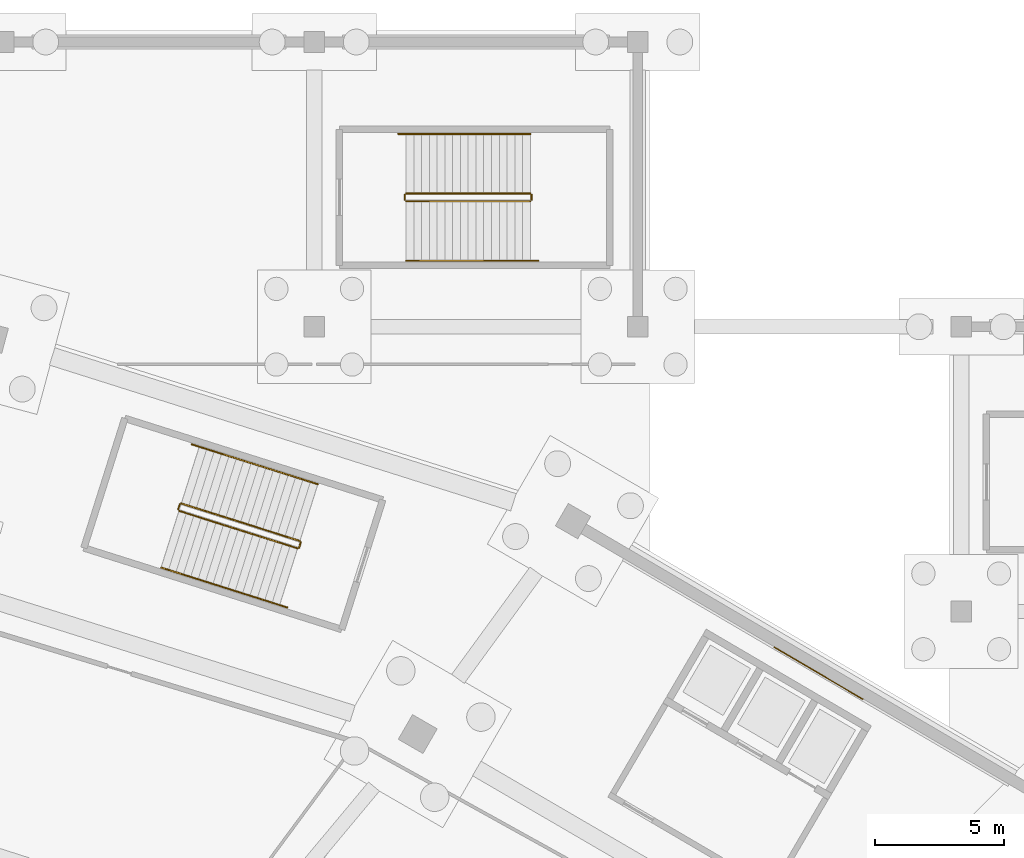
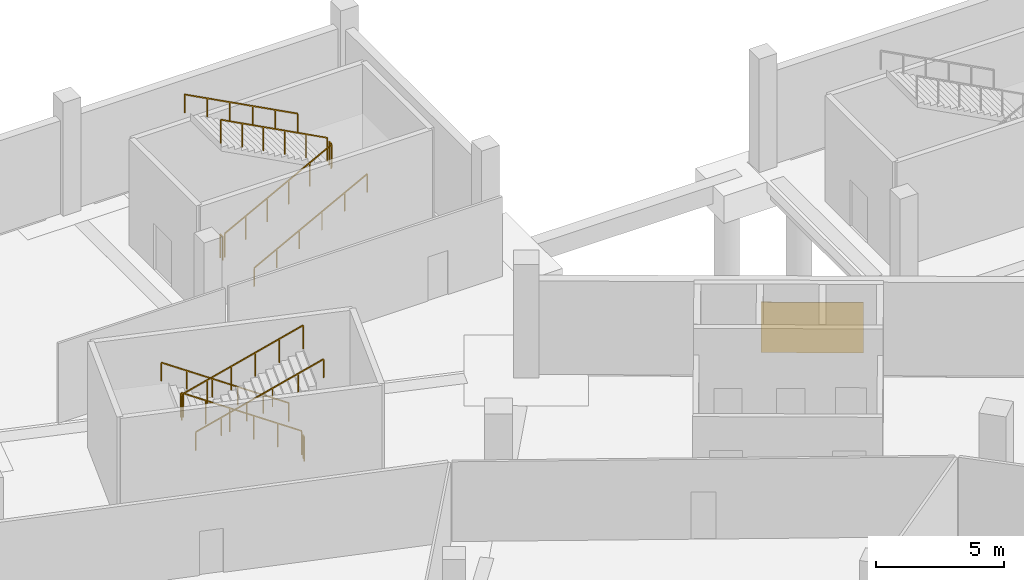
# One storey, part 72 of 74: 12 railings, 1 covering.
"""IFC4 building model written with IfcOpenShell, lengths in metres."""

from ifc_helpers import new_model, si_unit, direction, frame, origin, origin_2d, place, context, subcontext, project, spatial, rectangle, extrude, material, layer, layer_set, type_object, element, save


model = new_model("IFC4")

# Units and contexts
model_context = context("Model", 3, precision=1e-05, world=origin(), true_north=direction((0.0, 1.0)))
body_context = subcontext(model_context, "Body", "Model", "MODEL_VIEW")
ifc_project = project(units=[si_unit("LENGTHUNIT", "METRE"), si_unit("AREAUNIT", "SQUARE_METRE"), si_unit("VOLUMEUNIT", "CUBIC_METRE"), si_unit("PLANEANGLEUNIT", "RADIAN"), si_unit("MASSUNIT", "GRAM", prefix="KILO")], contexts=[model_context])

# Site, building, storey
site_placement = place(None, origin())
site = spatial("IfcSite", under=ifc_project, at=site_placement, CompositionType="ELEMENT")
building_placement = place(site_placement, origin())
building = spatial("IfcBuilding", under=site, at=building_placement, Name="Zlatoyarsky Gate Stadium", CompositionType="ELEMENT")
storey_placement = place(building_placement, frame((0.0, 0.0, -5.39990234375)))
storey = spatial("IfcBuildingStorey", under=building, at=storey_placement, Name="B1", CompositionType="ELEMENT", Elevation=-5.39990234375)

# Covering
ifc_material_1 = material(Name="Fire-retardant birch timber acoustic wall panel", Category="wood")
ifc_layer = layer(ifc_material_1, 0.034912109375)
ifc_layer_set = layer_set([ifc_layer], Name="Fire-retardant birch timber acoustic wall panel")
covering_type = type_object("IfcCoveringType", Name="FLUTED BIRCH ACOUSTIC WALL CLADDING 35", PredefinedType="CLADDING", material=ifc_layer_set)
covering_placement = place(storey_placement, frame((166.986572265625, 135.61279296875, 1.099853515625), z_axis=(0.0, 0.0, 1.0), x_axis=(-0.862884547558, 0.505401085858, 0.0)))
element("IfcCovering", 1, at=covering_placement, inside=storey, type_object=covering_type, Name="B1 acoustic timber wall cladding 02", PredefinedType="CLADDING", context=body_context, shape_type="SweptSolid", body=[
    extrude(rectangle(XDim=4.0, YDim=0.034912109375, at=origin_2d()), origin(), (0.0, 0.0, 1.0), 2.39990234375),
])

# Railings
ifc_material_2 = material(Name="Powder-coated steel stair guardrail", Category="steel")
railing_type_1 = type_object("IfcRailingType", Name="PAINTED STEEL STAIR WELL GUARDRAIL 1150", PredefinedType="GUARDRAIL", material=ifc_material_2)
railing_1_placement = place(storey_placement, frame((146.94482421875, 140.7236328125, 0.15869140625)))
element("IfcRailing", 2, at=railing_1_placement, inside=storey, type_object=railing_type_1, Name="ST-03 B1 stair guard 1", PredefinedType="GUARDRAIL", context=body_context, shape_type="SweptSolid", body=[
    extrude(rectangle(XDim=0.048095703125, YDim=0.048095703125, at=origin_2d()), frame((0.0, 0.0, 1.1259765625), z_axis=(-0.842654327269, 0.266470439136, 0.467896558868), x_axis=(-0.301511080938, -0.953462672616, 0.0)), (0.0, 0.0, 1.0), 5.43115234375),
    extrude(rectangle(XDim=0.0419921875, YDim=0.0419921875, at=origin_2d()), origin(), (0.0, 0.0, 1.0), 1.101806640625),
    extrude(rectangle(XDim=0.0419921875, YDim=0.0419921875, at=origin_2d()), frame((-0.915283203125, 0.28955078125, 0.50830078125)), (0.0, 0.0, 1.0), 1.101806640625),
    extrude(rectangle(XDim=0.0419921875, YDim=0.0419921875, at=origin_2d()), frame((-1.83056640625, 0.578857421875, 1.0166015625)), (0.0, 0.0, 1.0), 1.101806640625),
    extrude(rectangle(XDim=0.0419921875, YDim=0.0419921875, at=origin_2d()), frame((-2.74609375, 0.868408203125, 1.524658203125)), (0.0, 0.0, 1.0), 1.101806640625),
    extrude(rectangle(XDim=0.0419921875, YDim=0.0419921875, at=origin_2d()), frame((-3.661376953125, 1.15771484375, 2.032958984375)), (0.0, 0.0, 1.0), 1.101806640625),
    extrude(rectangle(XDim=0.0419921875, YDim=0.0419921875, at=origin_2d()), frame((-4.57666015625, 1.447265625, 2.541259765625)), (0.0, 0.0, 1.0), 1.101806640625),
])
railing_2_placement = place(storey_placement, frame((142.305419921875, 142.13818359375, 2.699951171875)))
element("IfcRailing", 3, at=railing_2_placement, inside=storey, type_object=railing_type_1, Name="ST-03 B1 stair guard 2", PredefinedType="GUARDRAIL", context=body_context, shape_type="SweptSolid", body=[
    extrude(rectangle(XDim=0.048095703125, YDim=0.048095703125, at=origin_2d()), frame((0.0, 0.0, 1.1259765625), z_axis=(-0.301540327315, -0.953453423615, 0.0), x_axis=(0.953453423615, -0.301540327315, 0.0)), (0.0, 0.0, 1.0), 0.199951171875),
    extrude(rectangle(XDim=0.0419921875, YDim=0.0419921875, at=origin_2d()), origin(), (0.0, 0.0, 1.0), 1.101806640625),
    extrude(rectangle(XDim=0.0419921875, YDim=0.0419921875, at=origin_2d()), frame((-0.060302734375, -0.190673828125, 0.0)), (0.0, 0.0, 1.0), 1.101806640625),
])
railing_3_placement = place(storey_placement, frame((142.277587890625, 141.884765625, 2.858642578125)))
element("IfcRailing", 4, at=railing_3_placement, inside=storey, type_object=railing_type_1, Name="ST-03 B1 stair guard 3", PredefinedType="GUARDRAIL", context=body_context, shape_type="SweptSolid", body=[
    extrude(rectangle(XDim=0.048095703125, YDim=0.048095703125, at=origin_2d()), frame((0.0, 0.0, 1.1259765625), z_axis=(0.842654327269, -0.266470439136, 0.467896558868), x_axis=(0.301511080938, 0.953462672616, 0.0)), (0.0, 0.0, 1.0), 5.43115234375),
    extrude(rectangle(XDim=0.0419921875, YDim=0.0419921875, at=origin_2d()), origin(), (0.0, 0.0, 1.0), 1.101806640625),
    extrude(rectangle(XDim=0.0419921875, YDim=0.0419921875, at=origin_2d()), frame((0.915283203125, -0.28955078125, 0.50830078125)), (0.0, 0.0, 1.0), 1.101806640625),
    extrude(rectangle(XDim=0.0419921875, YDim=0.0419921875, at=origin_2d()), frame((1.83056640625, -0.578857421875, 1.0166015625)), (0.0, 0.0, 1.0), 1.101806640625),
    extrude(rectangle(XDim=0.0419921875, YDim=0.0419921875, at=origin_2d()), frame((2.74609375, -0.868408203125, 1.524658203125)), (0.0, 0.0, 1.0), 1.101806640625),
    extrude(rectangle(XDim=0.0419921875, YDim=0.0419921875, at=origin_2d()), frame((3.661376953125, -1.15771484375, 2.032958984375)), (0.0, 0.0, 1.0), 1.101806640625),
    extrude(rectangle(XDim=0.0419921875, YDim=0.0419921875, at=origin_2d()), frame((4.57666015625, -1.447265625, 2.541259765625)), (0.0, 0.0, 1.0), 1.101806640625),
])
railing_4_placement = place(storey_placement, frame((146.977294921875, 140.660888671875, 0.0)))
element("IfcRailing", 5, at=railing_4_placement, inside=storey, type_object=railing_type_1, Name="ST-03 B1 stair guard 4", PredefinedType="GUARDRAIL", context=body_context, shape_type="SweptSolid", body=[
    extrude(rectangle(XDim=0.048095703125, YDim=0.048095703125, at=origin_2d()), frame((0.0, 0.0, 1.1259765625), z_axis=(-0.301540327315, -0.953453423615, 0.0), x_axis=(0.953453423615, -0.301540327315, 0.0)), (0.0, 0.0, 1.0), 0.199951171875),
    extrude(rectangle(XDim=0.0419921875, YDim=0.0419921875, at=origin_2d()), origin(), (0.0, 0.0, 1.0), 1.101806640625),
    extrude(rectangle(XDim=0.0419921875, YDim=0.0419921875, at=origin_2d()), frame((-0.060302734375, -0.190673828125, 0.0)), (0.0, 0.0, 1.0), 1.101806640625),
])
railing_5_placement = place(storey_placement, frame((151.050048828125, 153.85009765625, 0.15869140625)))
element("IfcRailing", 6, at=railing_5_placement, inside=storey, type_object=railing_type_1, Name="ST-32 B1 stair guard 1", PredefinedType="GUARDRAIL", context=body_context, shape_type="SweptSolid", body=[
    extrude(rectangle(XDim=0.048095703125, YDim=0.048095703125, at=origin_2d()), frame((0.0, 0.0, 1.1259765625), z_axis=(0.883783542688, 0.0, 0.467895981682), x_axis=(0.0, 1.0, 0.0)), (0.0, 0.0, 1.0), 5.43115234375),
    extrude(rectangle(XDim=0.0419921875, YDim=0.0419921875, at=origin_2d()), origin(), (0.0, 0.0, 1.0), 1.101806640625),
    extrude(rectangle(XDim=0.0419921875, YDim=0.0419921875, at=origin_2d()), frame((0.9599609375, 0.0, 0.50830078125)), (0.0, 0.0, 1.0), 1.101806640625),
    extrude(rectangle(XDim=0.0419921875, YDim=0.0419921875, at=origin_2d()), frame((1.919921875, 0.0, 1.0166015625)), (0.0, 0.0, 1.0), 1.101806640625),
    extrude(rectangle(XDim=0.0419921875, YDim=0.0419921875, at=origin_2d()), frame((2.880126953125, 0.0, 1.524658203125)), (0.0, 0.0, 1.0), 1.101806640625),
    extrude(rectangle(XDim=0.0419921875, YDim=0.0419921875, at=origin_2d()), frame((3.840087890625, 0.0, 2.032958984375)), (0.0, 0.0, 1.0), 1.101806640625),
    extrude(rectangle(XDim=0.0419921875, YDim=0.0419921875, at=origin_2d()), frame((4.800048828125, 0.0, 2.541259765625)), (0.0, 0.0, 1.0), 1.101806640625),
])
railing_6_placement = place(storey_placement, frame((155.89990234375, 153.89990234375, 2.699951171875)))
element("IfcRailing", 7, at=railing_6_placement, inside=storey, type_object=railing_type_1, Name="ST-32 B1 stair guard 2", PredefinedType="GUARDRAIL", context=body_context, shape_type="SweptSolid", body=[
    extrude(rectangle(XDim=0.048095703125, YDim=0.048095703125, at=origin_2d()), frame((0.0, 0.0, 1.1259765625), z_axis=(0.0, 1.0, 0.0), x_axis=(-1.0, 0.0, 0.0)), (0.0, 0.0, 1.0), 0.2001953125),
    extrude(rectangle(XDim=0.0419921875, YDim=0.0419921875, at=origin_2d()), origin(), (0.0, 0.0, 1.0), 1.101806640625),
    extrude(rectangle(XDim=0.0419921875, YDim=0.0419921875, at=origin_2d()), frame((0.0, 0.2001953125, 0.0)), (0.0, 0.0, 1.0), 1.101806640625),
])
railing_7_placement = place(storey_placement, frame((155.85009765625, 154.14990234375, 2.858642578125)))
element("IfcRailing", 8, at=railing_7_placement, inside=storey, type_object=railing_type_1, Name="ST-32 B1 stair guard 3", PredefinedType="GUARDRAIL", context=body_context, shape_type="SweptSolid", body=[
    extrude(rectangle(XDim=0.048095703125, YDim=0.048095703125, at=origin_2d()), frame((0.0, 0.0, 1.1259765625), z_axis=(-0.883783542688, 0.0, 0.467895981682), x_axis=(0.0, -1.0, 0.0)), (0.0, 0.0, 1.0), 5.43115234375),
    extrude(rectangle(XDim=0.0419921875, YDim=0.0419921875, at=origin_2d()), origin(), (0.0, 0.0, 1.0), 1.101806640625),
    extrude(rectangle(XDim=0.0419921875, YDim=0.0419921875, at=origin_2d()), frame((-0.9599609375, 0.0, 0.50830078125)), (0.0, 0.0, 1.0), 1.101806640625),
    extrude(rectangle(XDim=0.0419921875, YDim=0.0419921875, at=origin_2d()), frame((-1.919921875, 0.0, 1.0166015625)), (0.0, 0.0, 1.0), 1.101806640625),
    extrude(rectangle(XDim=0.0419921875, YDim=0.0419921875, at=origin_2d()), frame((-2.880126953125, 0.0, 1.524658203125)), (0.0, 0.0, 1.0), 1.101806640625),
    extrude(rectangle(XDim=0.0419921875, YDim=0.0419921875, at=origin_2d()), frame((-3.840087890625, 0.0, 2.032958984375)), (0.0, 0.0, 1.0), 1.101806640625),
    extrude(rectangle(XDim=0.0419921875, YDim=0.0419921875, at=origin_2d()), frame((-4.800048828125, 0.0, 2.541259765625)), (0.0, 0.0, 1.0), 1.101806640625),
])
railing_8_placement = place(storey_placement, frame((151.0, 153.89990234375, 0.0)))
element("IfcRailing", 9, at=railing_8_placement, inside=storey, type_object=railing_type_1, Name="ST-32 B1 stair guard 4", PredefinedType="GUARDRAIL", context=body_context, shape_type="SweptSolid", body=[
    extrude(rectangle(XDim=0.048095703125, YDim=0.048095703125, at=origin_2d()), frame((0.0, 0.0, 1.1259765625), z_axis=(0.0, 1.0, 0.0), x_axis=(-1.0, 0.0, 0.0)), (0.0, 0.0, 1.0), 0.2001953125),
    extrude(rectangle(XDim=0.0419921875, YDim=0.0419921875, at=origin_2d()), origin(), (0.0, 0.0, 1.0), 1.101806640625),
    extrude(rectangle(XDim=0.0419921875, YDim=0.0419921875, at=origin_2d()), frame((0.0, 0.2001953125, 0.0)), (0.0, 0.0, 1.0), 1.101806640625),
])
ifc_material_3 = material(Name="Brushed stainless steel 316 handrail", Category="steel")
railing_type_2 = type_object("IfcRailingType", Name="STAINLESS STEEL TUBULAR HANDRAIL 900", PredefinedType="HANDRAIL", material=ifc_material_3)
railing_9_placement = place(storey_placement, frame((147.63818359375, 142.91650390625, 0.162841796875)))
element("IfcRailing", 10, at=railing_9_placement, inside=storey, type_object=railing_type_2, Name="ST-03 B1 stair handrail 1", PredefinedType="HANDRAIL", context=body_context, shape_type="SweptSolid", body=[
    extrude(rectangle(XDim=0.048095703125, YDim=0.048095703125, at=origin_2d()), frame((0.0, 0.0, 0.8759765625), z_axis=(-0.842651293376, 0.266498995681, 0.46788575857), x_axis=(-0.301541441746, -0.953453071163, 0.0)), (0.0, 0.0, 1.0), 5.7705078125),
    extrude(rectangle(XDim=0.0419921875, YDim=0.0419921875, at=origin_2d()), origin(), (0.0, 0.0, 1.0), 0.851806640625),
    extrude(rectangle(XDim=0.0419921875, YDim=0.0419921875, at=origin_2d()), frame((-0.972412109375, 0.3076171875, 0.5400390625)), (0.0, 0.0, 1.0), 0.851806640625),
    extrude(rectangle(XDim=0.0419921875, YDim=0.0419921875, at=origin_2d()), frame((-1.945068359375, 0.615234375, 1.080078125)), (0.0, 0.0, 1.0), 0.851806640625),
    extrude(rectangle(XDim=0.0419921875, YDim=0.0419921875, at=origin_2d()), frame((-2.91748046875, 0.922607421875, 1.619873046875)), (0.0, 0.0, 1.0), 0.851806640625),
    extrude(rectangle(XDim=0.0419921875, YDim=0.0419921875, at=origin_2d()), frame((-3.89013671875, 1.230224609375, 2.159912109375)), (0.0, 0.0, 1.0), 0.851806640625),
    extrude(rectangle(XDim=0.0419921875, YDim=0.0419921875, at=origin_2d()), frame((-4.862548828125, 1.537841796875, 2.699951171875)), (0.0, 0.0, 1.0), 0.851806640625),
])
railing_10_placement = place(storey_placement, frame((141.584228515625, 139.69189453125, 2.86279296875)))
element("IfcRailing", 11, at=railing_10_placement, inside=storey, type_object=railing_type_2, Name="ST-03 B1 stair handrail 2", PredefinedType="HANDRAIL", context=body_context, shape_type="SweptSolid", body=[
    extrude(rectangle(XDim=0.048095703125, YDim=0.048095703125, at=origin_2d()), frame((0.0, 0.0, 0.8759765625), z_axis=(0.842651293376, -0.266498995681, 0.46788575857), x_axis=(0.301541441746, 0.953453071163, 0.0)), (0.0, 0.0, 1.0), 5.7705078125),
    extrude(rectangle(XDim=0.0419921875, YDim=0.0419921875, at=origin_2d()), origin(), (0.0, 0.0, 1.0), 0.851806640625),
    extrude(rectangle(XDim=0.0419921875, YDim=0.0419921875, at=origin_2d()), frame((0.972412109375, -0.3076171875, 0.5400390625)), (0.0, 0.0, 1.0), 0.851806640625),
    extrude(rectangle(XDim=0.0419921875, YDim=0.0419921875, at=origin_2d()), frame((1.945068359375, -0.615234375, 1.080078125)), (0.0, 0.0, 1.0), 0.851806640625),
    extrude(rectangle(XDim=0.0419921875, YDim=0.0419921875, at=origin_2d()), frame((2.91748046875, -0.922607421875, 1.619873046875)), (0.0, 0.0, 1.0), 0.851806640625),
    extrude(rectangle(XDim=0.0419921875, YDim=0.0419921875, at=origin_2d()), frame((3.89013671875, -1.230224609375, 2.159912109375)), (0.0, 0.0, 1.0), 0.851806640625),
    extrude(rectangle(XDim=0.0419921875, YDim=0.0419921875, at=origin_2d()), frame((4.862548828125, -1.537841796875, 2.699951171875)), (0.0, 0.0, 1.0), 0.851806640625),
])
railing_11_placement = place(storey_placement, frame((151.050048828125, 151.550048828125, 0.162841796875)))
element("IfcRailing", 12, at=railing_11_placement, inside=storey, type_object=railing_type_2, Name="ST-32 B1 stair handrail 1", PredefinedType="HANDRAIL", context=body_context, shape_type="SweptSolid", body=[
    extrude(rectangle(XDim=0.048095703125, YDim=0.048095703125, at=origin_2d()), frame((0.0, 0.0, 0.8759765625), z_axis=(0.883785858079, 0.0, 0.467891608238), x_axis=(0.0, 1.0, 0.0)), (0.0, 0.0, 1.0), 5.7705078125),
    extrude(rectangle(XDim=0.0419921875, YDim=0.0419921875, at=origin_2d()), origin(), (0.0, 0.0, 1.0), 0.851806640625),
    extrude(rectangle(XDim=0.0419921875, YDim=0.0419921875, at=origin_2d()), frame((1.02001953125, 0.0, 0.5400390625)), (0.0, 0.0, 1.0), 0.851806640625),
    extrude(rectangle(XDim=0.0419921875, YDim=0.0419921875, at=origin_2d()), frame((2.0400390625, 0.0, 1.080078125)), (0.0, 0.0, 1.0), 0.851806640625),
    extrude(rectangle(XDim=0.0419921875, YDim=0.0419921875, at=origin_2d()), frame((3.059814453125, 0.0, 1.619873046875)), (0.0, 0.0, 1.0), 0.851806640625),
    extrude(rectangle(XDim=0.0419921875, YDim=0.0419921875, at=origin_2d()), frame((4.079833984375, 0.0, 2.159912109375)), (0.0, 0.0, 1.0), 0.851806640625),
    extrude(rectangle(XDim=0.0419921875, YDim=0.0419921875, at=origin_2d()), frame((5.099853515625, 0.0, 2.699951171875)), (0.0, 0.0, 1.0), 0.851806640625),
])
railing_12_placement = place(storey_placement, frame((155.85009765625, 156.449951171875, 2.86279296875)))
element("IfcRailing", 13, at=railing_12_placement, inside=storey, type_object=railing_type_2, Name="ST-32 B1 stair handrail 2", PredefinedType="HANDRAIL", context=body_context, shape_type="SweptSolid", body=[
    extrude(rectangle(XDim=0.048095703125, YDim=0.048095703125, at=origin_2d()), frame((0.0, 0.0, 0.8759765625), z_axis=(-0.883795119882, 0.0, 0.467874113489), x_axis=(0.0, -1.0, 0.0)), (0.0, 0.0, 1.0), 5.770751953125),
    extrude(rectangle(XDim=0.0419921875, YDim=0.0419921875, at=origin_2d()), origin(), (0.0, 0.0, 1.0), 0.851806640625),
    extrude(rectangle(XDim=0.0419921875, YDim=0.0419921875, at=origin_2d()), frame((-1.02001953125, 0.0, 0.5400390625)), (0.0, 0.0, 1.0), 0.851806640625),
    extrude(rectangle(XDim=0.0419921875, YDim=0.0419921875, at=origin_2d()), frame((-2.0400390625, 0.0, 1.080078125)), (0.0, 0.0, 1.0), 0.851806640625),
    extrude(rectangle(XDim=0.0419921875, YDim=0.0419921875, at=origin_2d()), frame((-3.06005859375, 0.0, 1.619873046875)), (0.0, 0.0, 1.0), 0.851806640625),
    extrude(rectangle(XDim=0.0419921875, YDim=0.0419921875, at=origin_2d()), frame((-4.080078125, 0.0, 2.159912109375)), (0.0, 0.0, 1.0), 0.851806640625),
    extrude(rectangle(XDim=0.0419921875, YDim=0.0419921875, at=origin_2d()), frame((-5.10009765625, 0.0, 2.699951171875)), (0.0, 0.0, 1.0), 0.851806640625),
])

save(model, "model.ifc")
